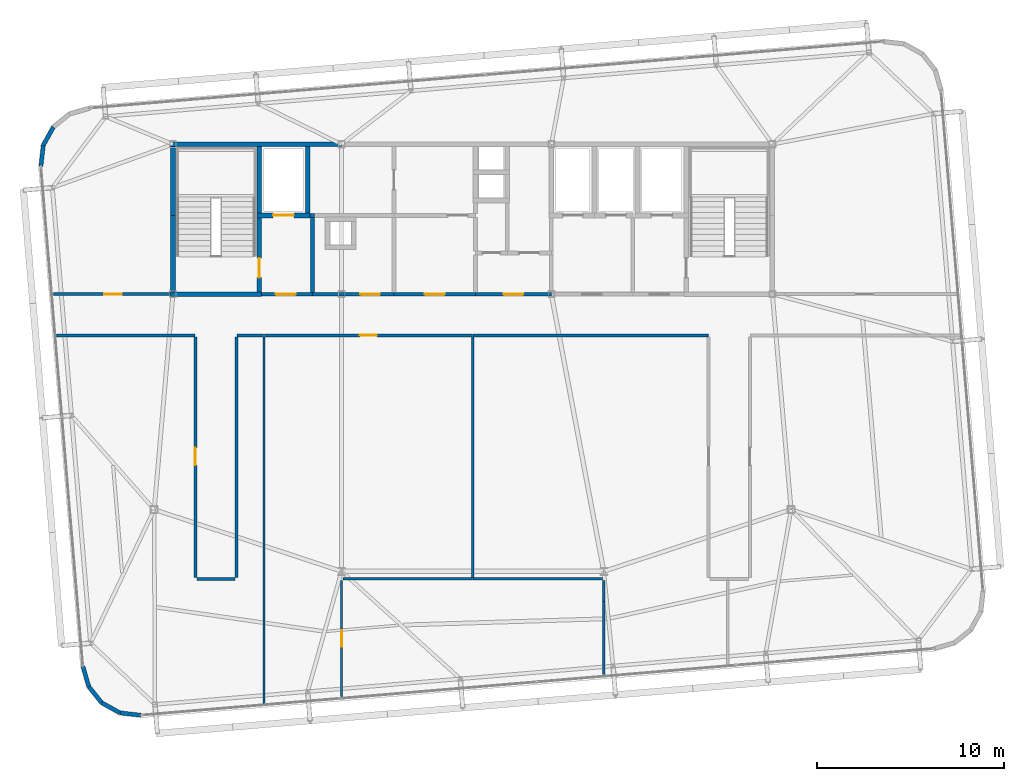
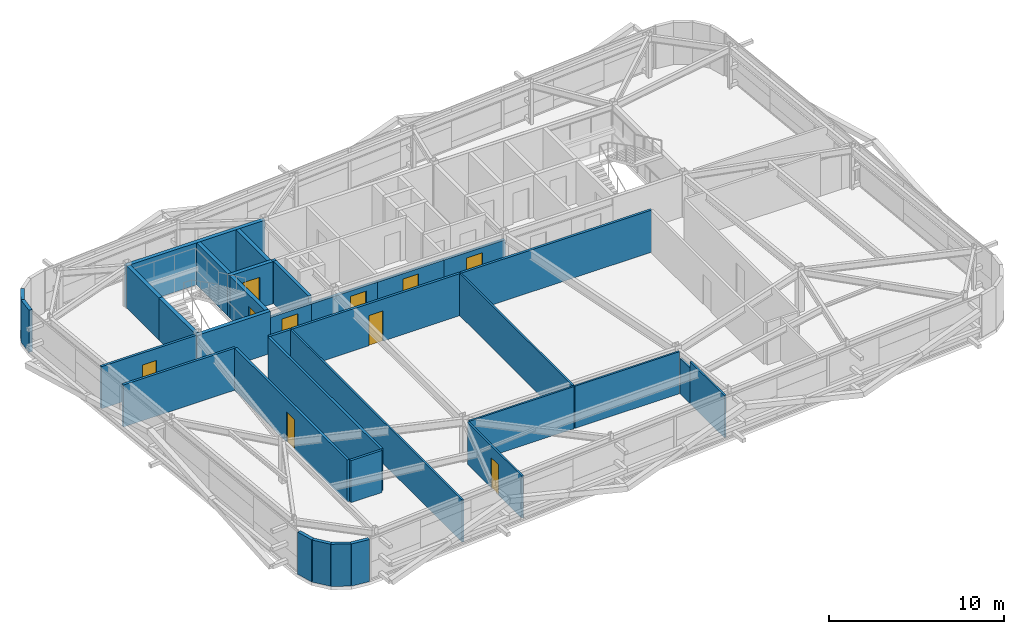
# One storey, part 35 of 39: 35 walls, 10 doors, 10 openings.
"""IFC4 building model written with IfcOpenShell, lengths in metres."""

from ifc_helpers import new_model, si_unit, direction, frame, frame_2d, origin, place, context, subcontext, project, spatial, rectangle, extrude, source, transform, mapped, material, layer, layer_set, type_object, element, fill, save


model = new_model("IFC4")

# Units and contexts
model_context = context("Model", 3, precision=1e-05, world=origin(), true_north=direction((0.0, 1.0)))
body_context = subcontext(model_context, "Body", "Model", "MODEL_VIEW")
ifc_project = project(units=[si_unit("LENGTHUNIT", "METRE"), si_unit("AREAUNIT", "SQUARE_METRE"), si_unit("VOLUMEUNIT", "CUBIC_METRE"), si_unit("PLANEANGLEUNIT", "RADIAN"), si_unit("MASSUNIT", "GRAM", prefix="KILO")], contexts=[model_context])

# Site, building, storey
site_placement = place(None, origin())
site = spatial("IfcSite", under=ifc_project, at=site_placement, CompositionType="ELEMENT")
building_placement = place(site_placement, origin())
building = spatial("IfcBuilding", under=site, at=building_placement, Name="Taldren Reach Tower", CompositionType="ELEMENT")
storey_placement = place(building_placement, frame((0.0, 0.0, 197.75)))
storey = spatial("IfcBuildingStorey", under=building, at=storey_placement, Name="L60", CompositionType="ELEMENT", Elevation=197.75)

# Walls
ifc_material_1 = material(Name="Pale Champagne Anodised Aluminium Cladding", Category="aluminium")
ifc_layer_1 = layer(ifc_material_1, 0.04, Name="Pale Champagne Anodised Aluminium Cladding", Category="aluminium")
ifc_material_2 = material(Name="Mineral Wool Acoustic Insulation", Category="insulation")
ifc_layer_2 = layer(ifc_material_2, 0.06, Name="Mineral Wool Acoustic Insulation", Category="insulation")
ifc_material_3 = material(Name="Steel Gr 350 (C350L0)", Category="steel")
ifc_layer_3 = layer(ifc_material_3, 0.12, Name="Steel Gr 350 (C350L0)", Category="steel")
ifc_layer_set_1 = layer_set([ifc_layer_1, ifc_layer_2, ifc_layer_3], Name="Pale Champagne Aluminium Cladding and Steel Gr 350 Stud Framing")
wall_type_1 = type_object("IfcWallType", Name="EW-CRN-220", PredefinedType="SOLIDWALL", material=ifc_layer_set_1)
shared_shape_1 = source(origin(), body_context, "Body", "SweptSolid", [
    extrude(rectangle(XDim=1.115966796875, YDim=0.219970703125, at=frame_2d((0.55810546875, 0.0))), origin(), (0.0, 0.0, 1.0), 2.929931640625),
])
for number, where, z_axis, x_axis, name in (
    (1, (12.618896484375, 32.9208984375, 0.0), (0.0, 0.0, 1.0), (-0.484100585842, -0.875012355791, 0.0), "Rounded-corner pale-metal facade wall L60-NW3"),
    (2, (12.07861328125, 31.9443359375, 0.0), (0.0, 0.0, 1.0), (-0.112232247342, -0.993682002784, 0.0), "Rounded-corner pale-metal facade wall L60-NW4"),
    (3, (14.19580078125, 4.129638671875, 0.0), (0.0, 0.0, 1.0), (0.276512002475, -0.961010464297, 0.0), "Rounded-corner pale-metal facade wall L60-SW1"),
    (4, (14.50439453125, 3.05712890625, 0.0), (0.0, 0.0, 1.0), (0.623092886403, -0.782147847222, 0.0), "Rounded-corner pale-metal facade wall L60-SW2"),
    (5, (15.19970703125, 2.184326171875, 0.0), (0.0, 0.0, 1.0), (0.875105012065, -0.483933071672, 0.0), "Rounded-corner pale-metal facade wall L60-SW3"),
    (6, (16.17626953125, 1.644287109375, 0.0), (0.0, 0.0, 1.0), (0.993657581277, -0.112448259968, 0.0), "Rounded-corner pale-metal facade wall L60-SW4"),
):
    element("IfcWall", number, at=place(storey_placement, frame(where, z_axis=z_axis, x_axis=x_axis)), inside=storey, type_object=wall_type_1, Name=name, PredefinedType="SOLIDWALL", context=body_context, shape_type="MappedRepresentation", body=[
        mapped(shared_shape_1, transform((0.0, 0.0, 0.0), scale=1.0)),
    ])

# Wall, opening, door
ifc_material_4 = material(Name="Concrete S50 (50 MPa)", Category="concrete")
ifc_layer_4 = layer(ifc_material_4, 0.199951171875)
ifc_layer_set_2 = layer_set([ifc_layer_4], Name="Concrete S50 (50 MPa)")
wall_type_2 = type_object("IfcWallType", Name="IW-CORE-200", PredefinedType="SOLIDWALL", material=ifc_layer_set_2)
shared_shape_2 = source(origin(), body_context, "Body", "SweptSolid", [
    extrude(rectangle(XDim=4.35009765625, YDim=0.199951171875, at=frame_2d((2.175048828125, 0.0))), origin(), (0.0, 0.0, 1.0), 2.469970703125),
])
wall_1_placement = place(storey_placement, frame((30.800048828125, 24.0, 0.0), z_axis=(0.0, 0.0, 1.0), x_axis=(-1.0, 0.0, 0.0)))
wall_1 = element("IfcWall", 7, at=wall_1_placement, inside=storey, type_object=wall_type_2, Name="Rear Core Shear Wall W-INT-L60-034", PredefinedType="SOLIDWALL", context=body_context, shape_type="MappedRepresentation", body=[
    mapped(shared_shape_2, transform((0.0, 0.0, 0.0), scale=1.0)),
])
shared_shape_3 = source(origin(), body_context, "Body", "SweptSolid", [
    extrude(rectangle(XDim=1.050048828125, YDim=2.10009765625, at=frame_2d((0.52490234375, 1.050048828125))), frame((0.0, 0.10986328125, 0.0), z_axis=(0.0, -1.0, 0.0), x_axis=(1.0, 0.0, 0.0)), (0.0, 0.0, 1.0), 0.219970703125),
])
opening_1_placement = place(wall_1_placement, frame((0.75, 0.0, 0.0)))
opening_1 = element("IfcOpeningElement", 8, at=opening_1_placement, cuts=wall_1, Name="Opening DF-105", PredefinedType="OPENING", context=body_context, shape_type="MappedRepresentation", body=[
    mapped(shared_shape_3, transform((0.0, 0.0, 0.0), scale=1.0)),
])
ifc_material_5 = material(Name="Fire-Rated Care and Stair Exit Door")
door_type_1 = type_object("IfcDoorType", Name="ID-FIRE-105", OperationType="NOTDEFINED", PredefinedType="DOOR", material=ifc_material_5)
shared_shape_4 = source(origin(), body_context, "Body", "SweptSolid", [
    extrude(rectangle(XDim=1.050048828125, YDim=2.10009765625, at=frame_2d((0.52490234375, 1.050048828125))), frame((0.0, 0.02490234375, 0.0), z_axis=(0.0, -1.0, 0.0), x_axis=(1.0, 0.0, 0.0)), (0.0, 0.0, 1.0), 0.050048828125),
])
door_1_placement = place(opening_1_placement, frame((1.050048828125, 0.0, 0.0), z_axis=(0.0, 0.0, 1.0), x_axis=(-1.0, 0.0, 0.0)))
door_1 = element("IfcDoor", 9, at=door_1_placement, inside=storey, type_object=door_type_1, Name="Interior Door DR-L60-006", OperationType="SINGLE_SWING_RIGHT", OverallHeight=2.10009765625, OverallWidth=1.050048828125, PredefinedType="DOOR", context=body_context, shape_type="MappedRepresentation", body=[
    mapped(shared_shape_4, transform((0.0, 0.0, 0.0), scale=1.0)),
])
fill(opening_1, door_1)

# Wall
ifc_material_6 = material(Name="Fire-Rated Acoustic Plasterboard Stud Wall", Category="gypsum")
ifc_layer_5 = layer(ifc_material_6, 0.159912109375)
ifc_layer_set_3 = layer_set([ifc_layer_5], Name="Fire-Rated Acoustic Plasterboard Stud Wall")
wall_type_3 = type_object("IfcWallType", Name="IW-FIRE-160", PredefinedType="PARTITIONING", material=ifc_layer_set_3)
shared_shape_5 = source(origin(), body_context, "Body", "SweptSolid", [
    extrude(rectangle(XDim=2.0400390625, YDim=0.159912109375, at=frame_2d((1.02001953125, 0.0))), origin(), (0.0, 0.0, 1.0), 2.929931640625),
])
wall_2_placement = place(storey_placement, frame((22.320068359375, 8.800048828125, 0.0), z_axis=(0.0, 0.0, 1.0), x_axis=(-1.0, 0.0, 0.0)))
element("IfcWall", 10, at=wall_2_placement, inside=storey, type_object=wall_type_3, Name="Interior Partition Wall W-INT-L60-049", PredefinedType="PARTITIONING", context=body_context, shape_type="MappedRepresentation", body=[
    mapped(shared_shape_5, transform((0.0, 0.0, 0.0), scale=1.0)),
])

# Wall, opening, door
shared_shape_6 = source(origin(), body_context, "Body", "SweptSolid", [
    extrude(rectangle(XDim=4.349853515625, YDim=0.199951171875, at=frame_2d((2.1748046875, 0.0))), origin(), (0.0, 0.0, 1.0), 2.469970703125),
])
wall_3_placement = place(storey_placement, frame((35.14990234375, 24.0, 0.0), z_axis=(0.0, 0.0, 1.0), x_axis=(-1.0, 0.0, 0.0)))
wall_3 = element("IfcWall", 11, at=wall_3_placement, inside=storey, type_object=wall_type_2, Name="Rear Core Shear Wall W-INT-L60-039", PredefinedType="SOLIDWALL", context=body_context, shape_type="MappedRepresentation", body=[
    mapped(shared_shape_6, transform((0.0, 0.0, 0.0), scale=1.0)),
])
opening_2_placement = place(wall_3_placement, frame((1.64990234375, 0.0, 0.0)))
opening_2 = element("IfcOpeningElement", 12, at=opening_2_placement, cuts=wall_3, Name="Opening DF-105", PredefinedType="OPENING", context=body_context, shape_type="MappedRepresentation", body=[
    mapped(shared_shape_3, transform((0.0, 0.0, 0.0), scale=1.0)),
])
door_2_placement = place(opening_2_placement, frame((1.050048828125, 0.0, 0.0), z_axis=(0.0, 0.0, 1.0), x_axis=(-1.0, 0.0, 0.0)))
door_2 = element("IfcDoor", 13, at=door_2_placement, inside=storey, type_object=door_type_1, Name="Interior Door DR-L60-009", OperationType="SINGLE_SWING_LEFT", OverallHeight=2.10009765625, OverallWidth=1.050048828125, PredefinedType="DOOR", context=body_context, shape_type="MappedRepresentation", body=[
    mapped(shared_shape_4, transform((0.0, 0.0, 0.0), scale=1.0)),
])
fill(opening_2, door_2)

# Walls
shared_shape_7 = source(origin(), body_context, "Body", "SweptSolid", [
    extrude(rectangle(XDim=4.0, YDim=0.199951171875, at=frame_2d((2.0, 0.0))), origin(), (0.0, 0.0, 1.0), 2.929931640625),
])
wall_4_placement = place(storey_placement, frame((26.449951171875, 24.10009765625, 0.0), z_axis=(0.0, 0.0, 1.0), x_axis=(0.0, 1.0, 0.0)))
element("IfcWall", 14, at=wall_4_placement, inside=storey, type_object=wall_type_2, Name="Rear Core Shear Wall W-INT-L60-006", PredefinedType="SOLIDWALL", context=body_context, shape_type="MappedRepresentation", body=[
    mapped(shared_shape_7, transform((0.0, 0.0, 0.0), scale=1.0)),
])
ifc_material_7 = material(Name="Concrete S65 (65 MPa)", Category="concrete")
ifc_layer_6 = layer(ifc_material_7, 0.25)
ifc_layer_set_4 = layer_set([ifc_layer_6], Name="Concrete S65 (65 MPa)")
wall_type_4 = type_object("IfcWallType", Name="IW-CORE-250", PredefinedType="SHEAR", material=ifc_layer_set_4)
shared_shape_8 = source(origin(), body_context, "Body", "SweptSolid", [
    extrude(rectangle(XDim=9.125, YDim=0.25, at=frame_2d((4.5625, 0.0))), origin(), (0.0, 0.0, 1.0), 2.929931640625),
])
wall_5_placement = place(storey_placement, frame((18.875, 32.0, 0.0), z_axis=(0.0, 0.0, 1.0), x_axis=(1.0, 0.0, 0.0)))
element("IfcWall", 15, at=wall_5_placement, inside=storey, type_object=wall_type_4, Name="Rear Core Shear Wall W-CORE-L60-NORTH1", PredefinedType="SHEAR", context=body_context, shape_type="MappedRepresentation", body=[
    mapped(shared_shape_8, transform((0.0, 0.0, 0.0), scale=1.0)),
])
shared_shape_9 = source(origin(), body_context, "Body", "SweptSolid", [
    extrude(rectangle(XDim=4.074951171875, YDim=0.25, at=frame_2d((2.03759765625, 0.0))), origin(), (0.0, 0.0, 1.0), 2.929931640625),
])
wall_6_placement = place(storey_placement, frame((19.0, 24.125, 0.0), z_axis=(0.0, 0.0, 1.0), x_axis=(0.0, 1.0, 0.0)))
element("IfcWall", 16, at=wall_6_placement, inside=storey, type_object=wall_type_4, Name="Rear Core Shear Wall W-CORE-L60-WEST1", PredefinedType="SHEAR", context=body_context, shape_type="MappedRepresentation", body=[
    mapped(shared_shape_9, transform((0.0, 0.0, 0.0), scale=1.0)),
])
shared_shape_10 = source(origin(), body_context, "Body", "SweptSolid", [
    extrude(rectangle(XDim=3.675048828125, YDim=0.25, at=frame_2d((1.83740234375, 0.0))), origin(), (0.0, 0.0, 1.0), 2.929931640625),
])
wall_7_placement = place(storey_placement, frame((19.0, 28.199951171875, 0.0), z_axis=(0.0, 0.0, 1.0), x_axis=(0.0, 1.0, 0.0)))
element("IfcWall", 17, at=wall_7_placement, inside=storey, type_object=wall_type_4, Name="Rear Core Shear Wall W-CORE-L60-WEST2", PredefinedType="SHEAR", context=body_context, shape_type="MappedRepresentation", body=[
    mapped(shared_shape_10, transform((0.0, 0.0, 0.0), scale=1.0)),
])
shared_shape_11 = source(origin(), body_context, "Body", "SweptSolid", [
    extrude(rectangle(XDim=3.550048828125, YDim=0.25, at=frame_2d((1.77490234375, 0.0))), origin(), (0.0, 0.0, 1.0), 2.929931640625),
])
for number, where, z_axis, x_axis, name in (
    (18, (23.60009765625, 28.324951171875, 0.0), (0.0, 0.0, 1.0), (0.0, 1.0, 0.0), "Rear Core Shear Wall W-INT-L60-001"),
    (19, (26.199951171875, 28.324951171875, 0.0), (0.0, 0.0, 1.0), (0.0, 1.0, 0.0), "Rear Core Shear Wall W-INT-L60-005"),
):
    element("IfcWall", number, at=place(storey_placement, frame(where, z_axis=z_axis, x_axis=x_axis)), inside=storey, type_object=wall_type_4, Name=name, PredefinedType="SHEAR", context=body_context, shape_type="MappedRepresentation", body=[
        mapped(shared_shape_11, transform((0.0, 0.0, 0.0), scale=1.0)),
    ])

# Wall, opening, door
shared_shape_12 = source(origin(), body_context, "Body", "SweptSolid", [
    extrude(rectangle(XDim=3.949951171875, YDim=0.25, at=frame_2d((1.97509765625, 0.0))), origin(), (0.0, 0.0, 1.0), 2.929931640625),
])
wall_8_placement = place(storey_placement, frame((23.60009765625, 24.125, 0.0), z_axis=(0.0, 0.0, 1.0), x_axis=(0.0, 1.0, 0.0)))
wall_8 = element("IfcWall", 20, at=wall_8_placement, inside=storey, type_object=wall_type_4, Name="Rear Core Shear Wall W-INT-L60-002", PredefinedType="SHEAR", context=body_context, shape_type="MappedRepresentation", body=[
    mapped(shared_shape_12, transform((0.0, 0.0, 0.0), scale=1.0)),
])
shared_shape_13 = source(origin(), body_context, "Body", "SweptSolid", [
    extrude(rectangle(XDim=1.050048828125, YDim=2.10009765625, at=frame_2d((0.52490234375, 1.050048828125))), frame((0.0, 0.135009765625, 0.0), z_axis=(0.0, -1.0, 0.0), x_axis=(1.0, 0.0, 0.0)), (0.0, 0.0, 1.0), 0.27001953125),
])
opening_3_placement = place(wall_8_placement, frame((0.75, 0.0, 0.0)))
opening_3 = element("IfcOpeningElement", 21, at=opening_3_placement, cuts=wall_8, Name="Opening DF-105", PredefinedType="OPENING", context=body_context, shape_type="MappedRepresentation", body=[
    mapped(shared_shape_13, transform((0.0, 0.0, 0.0), scale=1.0)),
])
door_3_placement = place(opening_3_placement, origin())
door_3 = element("IfcDoor", 22, at=door_3_placement, inside=storey, type_object=door_type_1, Name="Fire Exit Stair Door DR-L60-001", OperationType="SINGLE_SWING_LEFT", OverallHeight=2.10009765625, OverallWidth=1.050048828125, PredefinedType="DOOR", context=body_context, shape_type="MappedRepresentation", body=[
    mapped(shared_shape_4, transform((0.0, 0.0, 0.0), scale=1.0)),
])
fill(opening_3, door_3)

# Wall
shared_shape_14 = source(origin(), body_context, "Body", "SweptSolid", [
    extrude(rectangle(XDim=4.85009765625, YDim=0.25, at=frame_2d((2.425048828125, 0.0))), origin(), (0.0, 0.0, 1.0), 2.929931640625),
])
wall_9_placement = place(storey_placement, frame((18.875, 24.0, 0.0), z_axis=(0.0, 0.0, 1.0), x_axis=(1.0, 0.0, 0.0)))
element("IfcWall", 23, at=wall_9_placement, inside=storey, type_object=wall_type_4, Name="Rear Core Shear Wall W-INT-L60-003", PredefinedType="SHEAR", context=body_context, shape_type="MappedRepresentation", body=[
    mapped(shared_shape_14, transform((0.0, 0.0, 0.0), scale=1.0)),
])

# Wall, opening, door
shared_shape_15 = source(origin(), body_context, "Body", "SweptSolid", [
    extrude(rectangle(XDim=2.849853515625, YDim=0.25, at=frame_2d((1.4248046875, 0.0))), origin(), (0.0, 0.0, 1.0), 2.929931640625),
])
wall_10_placement = place(storey_placement, frame((23.47509765625, 28.199951171875, 0.0), z_axis=(0.0, 0.0, 1.0), x_axis=(1.0, 0.0, 0.0)))
wall_10 = element("IfcWall", 24, at=wall_10_placement, inside=storey, type_object=wall_type_4, Name="Rear Core Shear Wall W-INT-L60-004", PredefinedType="SHEAR", context=body_context, shape_type="MappedRepresentation", body=[
    mapped(shared_shape_15, transform((0.0, 0.0, 0.0), scale=1.0)),
])
shared_shape_16 = source(origin(), body_context, "Body", "SweptSolid", [
    extrude(rectangle(XDim=1.10009765625, YDim=2.14990234375, at=frame_2d((0.550048828125, 1.074951171875))), frame((0.0, 0.135009765625, 0.0), z_axis=(0.0, -1.0, 0.0), x_axis=(1.0, 0.0, 0.0)), (0.0, 0.0, 1.0), 0.27001953125),
])
opening_4_placement = place(wall_10_placement, frame((0.875, 0.0, 0.0)))
opening_4 = element("IfcOpeningElement", 25, at=opening_4_placement, cuts=wall_10, Name="Opening LD-FL1", PredefinedType="OPENING", context=body_context, shape_type="MappedRepresentation", body=[
    mapped(shared_shape_16, transform((0.0, 0.0, 0.0), scale=1.0)),
])
ifc_material_8 = material(Name="Stainless Steel Gr 316 Emergency Lift Landing Door", Category="steel")
door_type_2 = type_object("IfcDoorType", Name="LD-EMG-110", OperationType="SLIDING_TO_LEFT", PredefinedType="DOOR", material=ifc_material_8)
shared_shape_17 = source(origin(), body_context, "Body", "SweptSolid", [
    extrude(rectangle(XDim=1.10009765625, YDim=2.14990234375, at=frame_2d((0.550048828125, 1.074951171875))), frame((0.0, 0.02490234375, 0.0), z_axis=(0.0, -1.0, 0.0), x_axis=(1.0, 0.0, 0.0)), (0.0, 0.0, 1.0), 0.050048828125),
])
door_4_placement = place(opening_4_placement, origin())
door_4 = element("IfcDoor", 26, at=door_4_placement, inside=storey, type_object=door_type_2, Name="Lift Landing Door LD-FL1-L60", OperationType="SLIDING_TO_LEFT", OverallHeight=2.14990234375, OverallWidth=1.10009765625, PredefinedType="DOOR", context=body_context, shape_type="MappedRepresentation", body=[
    mapped(shared_shape_17, transform((0.0, 0.0, 0.0), scale=1.0)),
])
fill(opening_4, door_4)

shared_shape_18 = source(origin(), body_context, "Body", "SweptSolid", [
    extrude(rectangle(XDim=2.724853515625, YDim=0.199951171875, at=frame_2d((1.3623046875, 0.0))), origin(), (0.0, 0.0, 1.0), 2.469970703125),
])
wall_11_placement = place(storey_placement, frame((23.72509765625, 24.0, 0.0), z_axis=(0.0, 0.0, 1.0), x_axis=(1.0, 0.0, 0.0)))
wall_11 = element("IfcWall", 27, at=wall_11_placement, inside=storey, type_object=wall_type_2, Name="Rear Core Shear Wall W-INT-L60-007", PredefinedType="SOLIDWALL", context=body_context, shape_type="MappedRepresentation", body=[
    mapped(shared_shape_18, transform((0.0, 0.0, 0.0), scale=1.0)),
])
opening_5_placement = place(wall_11_placement, frame((0.77490234375, 0.0, 0.0)))
opening_5 = element("IfcOpeningElement", 28, at=opening_5_placement, cuts=wall_11, Name="Opening DF-105", PredefinedType="OPENING", context=body_context, shape_type="MappedRepresentation", body=[
    mapped(shared_shape_3, transform((0.0, 0.0, 0.0), scale=1.0)),
])
door_5_placement = place(opening_5_placement, origin())
door_5 = element("IfcDoor", 29, at=door_5_placement, inside=storey, type_object=door_type_1, Name="Interior Door DR-L60-002", OperationType="SINGLE_SWING_LEFT", OverallHeight=2.10009765625, OverallWidth=1.050048828125, PredefinedType="DOOR", context=body_context, shape_type="MappedRepresentation", body=[
    mapped(shared_shape_4, transform((0.0, 0.0, 0.0), scale=1.0)),
])
fill(opening_5, door_5)

shared_shape_19 = source(origin(), body_context, "Body", "SweptSolid", [
    extrude(rectangle(XDim=4.050048828125, YDim=0.199951171875, at=frame_2d((2.02490234375, 0.0))), origin(), (0.0, 0.0, 1.0), 2.469970703125),
])
wall_12_placement = place(storey_placement, frame((39.199951171875, 24.0, 0.0), z_axis=(0.0, 0.0, 1.0), x_axis=(-1.0, 0.0, 0.0)))
wall_12 = element("IfcWall", 30, at=wall_12_placement, inside=storey, type_object=wall_type_2, Name="Rear Core Shear Wall W-INT-L60-043", PredefinedType="SOLIDWALL", context=body_context, shape_type="MappedRepresentation", body=[
    mapped(shared_shape_19, transform((0.0, 0.0, 0.0), scale=1.0)),
])
opening_6_placement = place(wall_12_placement, frame((1.5, 0.0, 0.0)))
opening_6 = element("IfcOpeningElement", 31, at=opening_6_placement, cuts=wall_12, Name="Opening DF-105", PredefinedType="OPENING", context=body_context, shape_type="MappedRepresentation", body=[
    mapped(shared_shape_3, transform((0.0, 0.0, 0.0), scale=1.0)),
])
door_6_placement = place(opening_6_placement, frame((1.050048828125, 0.0, 0.0), z_axis=(0.0, 0.0, 1.0), x_axis=(-1.0, 0.0, 0.0)))
door_6 = element("IfcDoor", 32, at=door_6_placement, inside=storey, type_object=door_type_1, Name="Interior Door DR-L60-012", OperationType="SINGLE_SWING_RIGHT", OverallHeight=2.10009765625, OverallWidth=1.050048828125, PredefinedType="DOOR", context=body_context, shape_type="MappedRepresentation", body=[
    mapped(shared_shape_4, transform((0.0, 0.0, 0.0), scale=1.0)),
])
fill(opening_6, door_6)

shared_shape_20 = source(origin(), body_context, "Body", "SweptSolid", [
    extrude(rectangle(XDim=6.250732421875, YDim=0.159912109375, at=frame_2d((3.12548828125, 0.0))), origin(), (0.0, 0.0, 1.0), 2.929931640625),
])
wall_13_placement = place(storey_placement, frame((12.624267578125, 24.0, 0.0), z_axis=(0.0, 0.0, 1.0), x_axis=(1.0, 0.0, 0.0)))
wall_13 = element("IfcWall", 33, at=wall_13_placement, inside=storey, type_object=wall_type_3, Name="Interior Partition Wall W-INT-L60-045", PredefinedType="PARTITIONING", context=body_context, shape_type="MappedRepresentation", body=[
    mapped(shared_shape_20, transform((0.0, 0.0, 0.0), scale=1.0)),
])
shared_shape_21 = source(origin(), body_context, "Body", "SweptSolid", [
    extrude(rectangle(XDim=0.919921875, YDim=2.10009765625, at=frame_2d((0.4599609375, 1.050048828125))), frame((0.0, 0.08984375, 0.0), z_axis=(0.0, -1.0, 0.0), x_axis=(1.0, 0.0, 0.0)), (0.0, 0.0, 1.0), 0.179931640625),
])
opening_7_placement = place(wall_13_placement, frame((2.7177734375, 0.0, 0.0)))
opening_7 = element("IfcOpeningElement", 34, at=opening_7_placement, cuts=wall_13, Name="Opening DI-092", PredefinedType="OPENING", context=body_context, shape_type="MappedRepresentation", body=[
    mapped(shared_shape_21, transform((0.0, 0.0, 0.0), scale=1.0)),
])
ifc_material_9 = material(Name="Solid-Core Timber Suite Door", Category="wood")
door_type_3 = type_object("IfcDoorType", Name="ID-INT-092", OperationType="NOTDEFINED", PredefinedType="DOOR", material=ifc_material_9)
shared_shape_22 = source(origin(), body_context, "Body", "SweptSolid", [
    extrude(rectangle(XDim=0.919921875, YDim=2.10009765625, at=frame_2d((0.4599609375, 1.050048828125))), frame((0.0, 0.02490234375, 0.0), z_axis=(0.0, -1.0, 0.0), x_axis=(1.0, 0.0, 0.0)), (0.0, 0.0, 1.0), 0.050048828125),
])
door_7_placement = place(opening_7_placement, origin())
door_7 = element("IfcDoor", 35, at=door_7_placement, inside=storey, type_object=door_type_3, Name="Interior Door DR-L60-013", OperationType="SINGLE_SWING_RIGHT", OverallHeight=2.10009765625, OverallWidth=0.919921875, PredefinedType="DOOR", context=body_context, shape_type="MappedRepresentation", body=[
    mapped(shared_shape_22, transform((0.0, 0.0, 0.0), scale=1.0)),
])
fill(opening_7, door_7)

shared_shape_23 = source(origin(), body_context, "Body", "SweptSolid", [
    extrude(rectangle(XDim=12.840087890625, YDim=0.159912109375, at=frame_2d((6.419921875, 0.0))), origin(), (0.0, 0.0, 1.0), 2.929931640625),
])
wall_14_placement = place(storey_placement, frame((20.199951171875, 8.8798828125, 0.0), z_axis=(0.0, 0.0, 1.0), x_axis=(0.0, 1.0, 0.0)))
wall_14 = element("IfcWall", 36, at=wall_14_placement, inside=storey, type_object=wall_type_3, Name="Interior Partition Wall W-INT-L60-046", PredefinedType="PARTITIONING", context=body_context, shape_type="MappedRepresentation", body=[
    mapped(shared_shape_23, transform((0.0, 0.0, 0.0), scale=1.0)),
])
opening_8_placement = place(wall_14_placement, frame((5.98974609375, 0.0, 0.0)))
opening_8 = element("IfcOpeningElement", 37, at=opening_8_placement, cuts=wall_14, Name="Opening DI-092", PredefinedType="OPENING", context=body_context, shape_type="MappedRepresentation", body=[
    mapped(shared_shape_21, transform((0.0, 0.0, 0.0), scale=1.0)),
])
door_8_placement = place(opening_8_placement, origin())
door_8 = element("IfcDoor", 38, at=door_8_placement, inside=storey, type_object=door_type_3, Name="Interior Door DR-L60-014", OperationType="SINGLE_SWING_LEFT", OverallHeight=2.10009765625, OverallWidth=0.919921875, PredefinedType="DOOR", context=body_context, shape_type="MappedRepresentation", body=[
    mapped(shared_shape_22, transform((0.0, 0.0, 0.0), scale=1.0)),
])
fill(opening_8, door_8)

# Wall
wall_15_placement = place(storey_placement, frame((22.39990234375, 21.719970703125, 0.0), z_axis=(0.0, 0.0, 1.0), x_axis=(0.0, -1.0, 0.0)))
element("IfcWall", 39, at=wall_15_placement, inside=storey, type_object=wall_type_3, Name="Interior Partition Wall W-INT-L60-047", PredefinedType="PARTITIONING", context=body_context, shape_type="MappedRepresentation", body=[
    mapped(shared_shape_23, transform((0.0, 0.0, 0.0), scale=1.0)),
])

# Wall, opening, door
ifc_material_10 = material(Name="Insulated Residential Stud Partition", Category="gypsum")
ifc_layer_7 = layer(ifc_material_10, 0.1201171875)
ifc_layer_set_5 = layer_set([ifc_layer_7], Name="Insulated Residential Stud Partition")
wall_type_5 = type_object("IfcWallType", Name="IW-PART-120", PredefinedType="PARTITIONING", material=ifc_layer_set_5)
shared_shape_24 = source(origin(), body_context, "Body", "SweptSolid", [
    extrude(rectangle(XDim=6.204345703125, YDim=0.1201171875, at=frame_2d((3.10205078125, 0.0))), origin(), (0.0, 0.0, 1.0), 2.929931640625),
])
wall_16_placement = place(storey_placement, frame((28.0, 2.515625, 0.0), z_axis=(0.0, 0.0, 1.0), x_axis=(0.0, 1.0, 0.0)))
wall_16 = element("IfcWall", 40, at=wall_16_placement, inside=storey, type_object=wall_type_5, Name="Interior Partition Wall W-INT-L60-060", PredefinedType="PARTITIONING", context=body_context, shape_type="MappedRepresentation", body=[
    mapped(shared_shape_24, transform((0.0, 0.0, 0.0), scale=1.0)),
])
shared_shape_25 = source(origin(), body_context, "Body", "SweptSolid", [
    extrude(rectangle(XDim=0.860107421875, YDim=2.10009765625, at=frame_2d((0.43017578125, 1.050048828125))), frame((0.0, 0.070068359375, 0.0), z_axis=(0.0, -1.0, 0.0), x_axis=(1.0, 0.0, 0.0)), (0.0, 0.0, 1.0), 0.14013671875),
])
opening_9_placement = place(wall_16_placement, frame((2.672119140625, 0.0, 0.0)))
opening_9 = element("IfcOpeningElement", 41, at=opening_9_placement, cuts=wall_16, Name="Opening DI-086", PredefinedType="OPENING", context=body_context, shape_type="MappedRepresentation", body=[
    mapped(shared_shape_25, transform((0.0, 0.0, 0.0), scale=1.0)),
])
ifc_material_11 = material(Name="Timber Bathroom Door", Category="wood")
door_type_4 = type_object("IfcDoorType", Name="ID-INT-086", OperationType="NOTDEFINED", PredefinedType="DOOR", material=ifc_material_11)
shared_shape_26 = source(origin(), body_context, "Body", "SweptSolid", [
    extrude(rectangle(XDim=0.860107421875, YDim=2.10009765625, at=frame_2d((0.43017578125, 1.050048828125))), frame((0.0, 0.02490234375, 0.0), z_axis=(0.0, -1.0, 0.0), x_axis=(1.0, 0.0, 0.0)), (0.0, 0.0, 1.0), 0.050048828125),
])
door_9_placement = place(opening_9_placement, frame((0.860107421875, 0.0, 0.0), z_axis=(0.0, 0.0, 1.0), x_axis=(-1.0, 0.0, 0.0)))
door_9 = element("IfcDoor", 42, at=door_9_placement, inside=storey, type_object=door_type_4, Name="Interior Door DR-L60-019", OperationType="SINGLE_SWING_LEFT", OverallHeight=2.10009765625, OverallWidth=0.860107421875, PredefinedType="DOOR", context=body_context, shape_type="MappedRepresentation", body=[
    mapped(shared_shape_26, transform((0.0, 0.0, 0.0), scale=1.0)),
])
fill(opening_9, door_9)

# Walls
shared_shape_27 = source(origin(), body_context, "Body", "SweptSolid", [
    extrude(rectangle(XDim=6.899658203125, YDim=0.1201171875, at=frame_2d((3.44970703125, 0.0))), origin(), (0.0, 0.0, 1.0), 2.929931640625),
])
for number, where, z_axis, x_axis, name in (
    (43, (28.080078125, 8.800048828125, 0.0), (0.0, 0.0, 1.0), (1.0, 0.0, 0.0), "Interior Partition Wall W-INT-L60-059"),
    (44, (35.020263671875, 8.800048828125, 0.0), (0.0, 0.0, 1.0), (1.0, 0.0, 0.0), "Interior Partition Wall W-INT-L60-061"),
):
    element("IfcWall", number, at=place(storey_placement, frame(where, z_axis=z_axis, x_axis=x_axis)), inside=storey, type_object=wall_type_5, Name=name, PredefinedType="PARTITIONING", context=body_context, shape_type="MappedRepresentation", body=[
        mapped(shared_shape_27, transform((0.0, 0.0, 0.0), scale=1.0)),
    ])
shared_shape_28 = source(origin(), body_context, "Body", "SweptSolid", [
    extrude(rectangle(XDim=1.116455078125, YDim=0.1201171875, at=frame_2d((0.55810546875, 0.0))), origin(), (0.0, 0.0, 1.0), 2.469970703125),
])
wall_17_placement = place(storey_placement, frame((42.0, 8.719970703125, 0.0), z_axis=(0.0, 0.0, 1.0), x_axis=(0.0, -1.0, 0.0)))
element("IfcWall", 45, at=wall_17_placement, inside=storey, type_object=wall_type_5, Name="Interior Partition Wall W-INT-L60-062", PredefinedType="PARTITIONING", context=body_context, shape_type="MappedRepresentation", body=[
    mapped(shared_shape_28, transform((0.0, 0.0, 0.0), scale=1.0)),
])
shared_shape_29 = source(origin(), body_context, "Body", "SweptSolid", [
    extrude(rectangle(XDim=3.92578125, YDim=0.1201171875, at=frame_2d((1.962890625, 0.0))), origin(), (0.0, 0.0, 1.0), 2.929931640625),
])
wall_18_placement = place(storey_placement, frame((42.0, 7.603515625, 0.0), z_axis=(0.0, 0.0, 1.0), x_axis=(0.0, -1.0, 0.0)))
element("IfcWall", 46, at=wall_18_placement, inside=storey, type_object=wall_type_5, Name="Interior Partition Wall W-INT-L60-062 part 2", PredefinedType="PARTITIONING", context=body_context, shape_type="MappedRepresentation", body=[
    mapped(shared_shape_29, transform((0.0, 0.0, 0.0), scale=1.0)),
])
shared_shape_30 = source(origin(), body_context, "Body", "SweptSolid", [
    extrude(rectangle(XDim=0.22509765625, YDim=0.199951171875, at=frame_2d((0.112548828125, 0.0))), origin(), (0.0, 0.0, 1.0), 2.929931640625),
])
wall_19_placement = place(storey_placement, frame((26.324951171875, 28.199951171875, 0.0), z_axis=(0.0, 0.0, 1.0), x_axis=(1.0, 0.0, 0.0)))
element("IfcWall", 47, at=wall_19_placement, inside=storey, type_object=wall_type_2, Name="Rear Core Partition Wall W-INT-L60-066", PredefinedType="SOLIDWALL", context=body_context, shape_type="MappedRepresentation", body=[
    mapped(shared_shape_30, transform((0.0, 0.0, 0.0), scale=1.0)),
])
shared_shape_31 = source(origin(), body_context, "Body", "SweptSolid", [
    extrude(rectangle(XDim=7.384033203125, YDim=0.159912109375, at=frame_2d((3.69189453125, 0.0))), origin(), (0.0, 0.0, 1.0), 2.929931640625),
])
wall_20_placement = place(storey_placement, frame((20.1796875, 21.800048828125, 0.0), z_axis=(0.0, 0.0, 1.0), x_axis=(-1.0, 0.0, 0.0)))
element("IfcWall", 48, at=wall_20_placement, inside=storey, type_object=wall_type_3, Name="Interior Partition Wall W-INT-L60-048", PredefinedType="PARTITIONING", context=body_context, shape_type="MappedRepresentation", body=[
    mapped(shared_shape_31, transform((0.0, 0.0, 0.0), scale=1.0)),
])
shared_shape_32 = source(origin(), body_context, "Body", "SweptSolid", [
    extrude(rectangle(XDim=12.8359375, YDim=0.1201171875, at=frame_2d((6.41796875, 0.0))), origin(), (0.0, 0.0, 1.0), 2.929931640625),
])
wall_21_placement = place(storey_placement, frame((35.0, 21.718017578125, 0.0), z_axis=(0.0, 0.0, 1.0), x_axis=(0.0, -1.0, 0.0)))
element("IfcWall", 49, at=wall_21_placement, inside=storey, type_object=wall_type_5, Name="Interior Partition Wall W-INT-L60-064", PredefinedType="PARTITIONING", context=body_context, shape_type="MappedRepresentation", body=[
    mapped(shared_shape_32, transform((0.0, 0.0, 0.0), scale=1.0)),
])
shared_shape_33 = source(origin(), body_context, "Body", "SweptSolid", [
    extrude(rectangle(XDim=1.424072265625, YDim=0.159912109375, at=frame_2d((0.7119140625, 0.0))), origin(), (0.0, 0.0, 1.0), 2.929931640625),
])
wall_22_placement = place(storey_placement, frame((23.844482421875, 21.800048828125, 0.0), z_axis=(0.0, 0.0, 1.0), x_axis=(-1.0, 0.0, 0.0)))
element("IfcWall", 50, at=wall_22_placement, inside=storey, type_object=wall_type_3, Name="Interior Partition Wall W-INT-L60-050", PredefinedType="PARTITIONING", context=body_context, shape_type="MappedRepresentation", body=[
    mapped(shared_shape_33, transform((0.0, 0.0, 0.0), scale=1.0)),
])

# Wall, opening, door
shared_shape_34 = source(origin(), body_context, "Body", "SweptSolid", [
    extrude(rectangle(XDim=11.094970703125, YDim=0.159912109375, at=frame_2d((5.54736328125, 0.0))), origin(), (0.0, 0.0, 1.0), 2.929931640625),
])
wall_23_placement = place(storey_placement, frame((34.979736328125, 21.800048828125, 0.0), z_axis=(0.0, 0.0, 1.0), x_axis=(-1.0, 0.0, 0.0)))
wall_23 = element("IfcWall", 51, at=wall_23_placement, inside=storey, type_object=wall_type_3, Name="Interior Partition Wall W-INT-L60-051", PredefinedType="PARTITIONING", context=body_context, shape_type="MappedRepresentation", body=[
    mapped(shared_shape_34, transform((0.0, 0.0, 0.0), scale=1.0)),
])
opening_10_placement = place(wall_23_placement, frame((5.08740234375, 0.0, 0.0)))
opening_10 = element("IfcOpeningElement", 52, at=opening_10_placement, cuts=wall_23, Name="Opening DI-092", PredefinedType="OPENING", context=body_context, shape_type="MappedRepresentation", body=[
    mapped(shared_shape_21, transform((0.0, 0.0, 0.0), scale=1.0)),
])
door_10_placement = place(opening_10_placement, origin())
door_10 = element("IfcDoor", 53, at=door_10_placement, inside=storey, type_object=door_type_3, Name="Interior Door DR-L60-015", OperationType="SINGLE_SWING_RIGHT", OverallHeight=2.10009765625, OverallWidth=0.919921875, PredefinedType="DOOR", context=body_context, shape_type="MappedRepresentation", body=[
    mapped(shared_shape_22, transform((0.0, 0.0, 0.0), scale=1.0)),
])
fill(opening_10, door_10)

# Walls
shared_shape_35 = source(origin(), body_context, "Body", "SweptSolid", [
    extrude(rectangle(XDim=12.559326171875, YDim=0.159912109375, at=frame_2d((6.27978515625, 0.0))), origin(), (0.0, 0.0, 1.0), 2.929931640625),
])
wall_24_placement = place(storey_placement, frame((47.57958984375, 21.800048828125, 0.0), z_axis=(0.0, 0.0, 1.0), x_axis=(-1.0, 0.0, 0.0)))
element("IfcWall", 54, at=wall_24_placement, inside=storey, type_object=wall_type_3, Name="Interior Partition Wall W-INT-L60-054", PredefinedType="PARTITIONING", context=body_context, shape_type="MappedRepresentation", body=[
    mapped(shared_shape_35, transform((0.0, 0.0, 0.0), scale=1.0)),
])
shared_shape_36 = source(origin(), body_context, "Body", "SweptSolid", [
    extrude(rectangle(XDim=19.56494140625, YDim=0.1201171875, at=frame_2d((9.782470703125, 0.0))), origin(), (0.0, 0.0, 1.0), 2.929931640625),
])
wall_25_placement = place(storey_placement, frame((23.864501953125, 21.719970703125, 0.0), z_axis=(0.0, 0.0, 1.0), x_axis=(0.0, -1.0, 0.0)))
element("IfcWall", 55, at=wall_25_placement, inside=storey, type_object=wall_type_5, Name="Interior Partition Wall W-INT-L60-063", PredefinedType="PARTITIONING", context=body_context, shape_type="MappedRepresentation", body=[
    mapped(shared_shape_36, transform((0.0, 0.0, 0.0), scale=1.0)),
])

save(model, "model.ifc")
